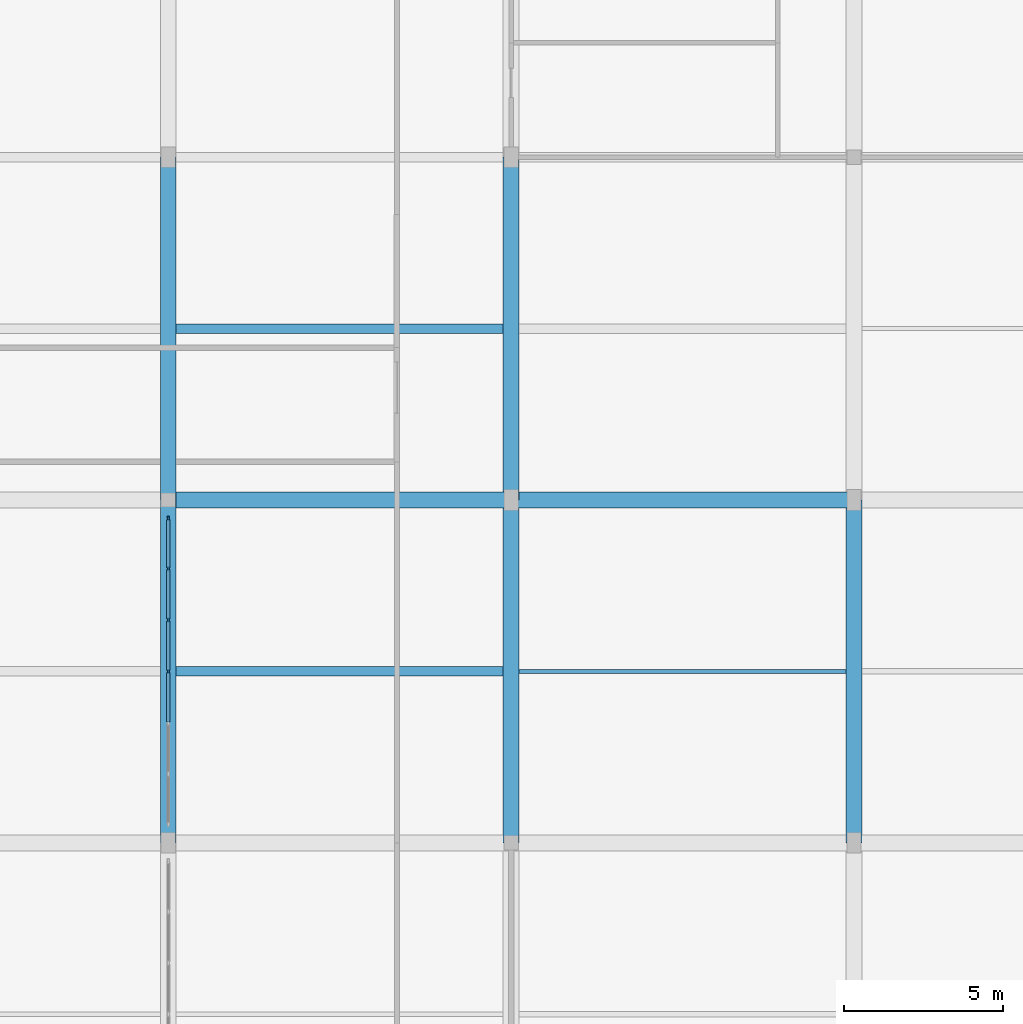
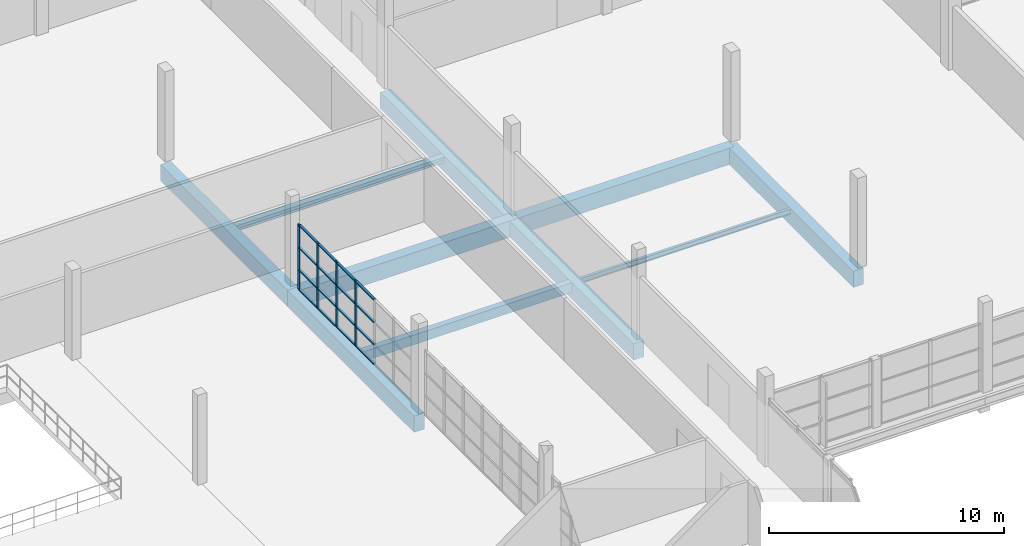
# One storey, part 36 of 142: 20 members, 10 beams, 1 element without a shape of its own.
"""IFC4 building model written with IfcOpenShell, lengths in metres."""

from ifc_helpers import new_model, si_unit, direction, frame, origin, origin_2d, place, context, subcontext, project, spatial, rectangle, i_section, extrude, material, material_profile, profile_set, type_object, element, aggregate, save


model = new_model("IFC4")

# Units and contexts
model_context = context("Model", 3, precision=1e-05, world=origin(), true_north=direction((0.0, 1.0)))
body_context = subcontext(model_context, "Body", "Model", "MODEL_VIEW")
ifc_project = project(units=[si_unit("LENGTHUNIT", "METRE"), si_unit("AREAUNIT", "SQUARE_METRE"), si_unit("VOLUMEUNIT", "CUBIC_METRE"), si_unit("PLANEANGLEUNIT", "RADIAN"), si_unit("MASSUNIT", "GRAM", prefix="KILO")], contexts=[model_context])

# Site, building, storey
site_placement = place(None, origin())
site = spatial("IfcSite", under=ifc_project, at=site_placement, CompositionType="ELEMENT")
building_placement = place(site_placement, origin())
building = spatial("IfcBuilding", under=site, at=building_placement, Name="Zwinboog Wholesale Market", CompositionType="ELEMENT")
storey_placement = place(building_placement, frame((0.0, 0.0, 5.39990234375)))
storey = spatial("IfcBuildingStorey", under=building, at=storey_placement, Name="L01", CompositionType="ELEMENT", Elevation=5.39990234375)

# Beams
ifc_material_1 = material(Name="Precast concrete C45/55", Category="concrete")
ifc_material_profile_1 = material_profile(ifc_material_1, rectangle(XDim=0.5, YDim=0.85009765625, at=origin_2d()), Name="PC 500x850")
ifc_profile_set_1 = profile_set([ifc_material_profile_1], Name="Precast concrete C45/55")
beam_type_1 = type_object("IfcBeamType", Name="BT-03", PredefinedType="BEAM", material=ifc_profile_set_1)
for number, where, z_axis, x_axis, name in (
    (1, (32.39990234375, 86.39990234375, -0.7568359375), (1.0, 0.0, 0.0), (0.0, 1.0, 0.0), "BG-03 (BMG-L01-0324-0864-0512)"),
    (2, (43.199951171875, 86.39990234375, -0.7568359375), (1.0, 0.0, 0.0), (0.0, 1.0, 0.0), "BG-03 (BMG-L01-0432-0864-0513)"),
):
    element("IfcBeam", number, at=place(storey_placement, frame(where, z_axis=z_axis, x_axis=x_axis)), inside=storey, type_object=beam_type_1, Name=name, PredefinedType="BEAM", context=body_context, shape_type="SweptSolid", body=[
        extrude(rectangle(XDim=0.5, YDim=0.85009765625, at=origin_2d()), origin(), (0.0, 0.0, 1.0), 10.800048828125),
    ])
beam_1_placement = place(storey_placement, frame((32.39990234375, 75.60009765625, -0.72998046875), z_axis=(0.0, 1.0, 0.0), x_axis=(-1.0, 0.0, 0.0)))
element("IfcBeam", 3, at=beam_1_placement, inside=storey, type_object=beam_type_1, Name="BG-03 (BMG-L01-0324-0756-0642)", PredefinedType="BEAM", context=body_context, shape_type="SweptSolid", body=[
    extrude(rectangle(XDim=0.5, YDim=0.85009765625, at=origin_2d()), origin(), (0.0, 0.0, 1.0), 10.7998046875),
])
beam_2_placement = place(storey_placement, frame((32.39990234375, 86.39990234375, -0.72998046875), z_axis=(0.0, 1.0, 0.0), x_axis=(-1.0, 0.0, 0.0)))
element("IfcBeam", 4, at=beam_2_placement, inside=storey, type_object=beam_type_1, Name="BG-03 (BMG-L01-0324-0864-0643)", PredefinedType="BEAM", context=body_context, shape_type="SweptSolid", body=[
    extrude(rectangle(XDim=0.5, YDim=0.85009765625, at=origin_2d()), origin(), (0.0, 0.0, 1.0), 10.800048828125),
])
beam_3_placement = place(storey_placement, frame((43.199951171875, 75.60009765625, -0.7568359375), z_axis=(0.0, 1.0, 0.0), x_axis=(-1.0, 0.0, 0.0)))
element("IfcBeam", 5, at=beam_3_placement, inside=storey, type_object=beam_type_1, Name="BG-03 (BMG-L01-0432-0756-0654)", PredefinedType="BEAM", context=body_context, shape_type="SweptSolid", body=[
    extrude(rectangle(XDim=0.5, YDim=0.85009765625, at=origin_2d()), origin(), (0.0, 0.0, 1.0), 10.7998046875),
])
beam_4_placement = place(storey_placement, frame((43.199951171875, 86.39990234375, -0.7568359375), z_axis=(0.0, 1.0, 0.0), x_axis=(-1.0, 0.0, 0.0)))
element("IfcBeam", 6, at=beam_4_placement, inside=storey, type_object=beam_type_1, Name="BG-03 (BMG-L01-0432-0864-0655)", PredefinedType="BEAM", context=body_context, shape_type="SweptSolid", body=[
    extrude(rectangle(XDim=0.5, YDim=0.85009765625, at=origin_2d()), origin(), (0.0, 0.0, 1.0), 10.800048828125),
])
beam_5_placement = place(storey_placement, frame((54.0, 75.60009765625, -0.7568359375), z_axis=(0.0, 1.0, 0.0), x_axis=(-1.0, 0.0, 0.0)))
element("IfcBeam", 7, at=beam_5_placement, inside=storey, type_object=beam_type_1, Name="BG-03 (BMG-L01-0540-0756-0660)", PredefinedType="BEAM", context=body_context, shape_type="SweptSolid", body=[
    extrude(rectangle(XDim=0.5, YDim=0.85009765625, at=origin_2d()), origin(), (0.0, 0.0, 1.0), 10.7998046875),
])
ifc_material_profile_2 = material_profile(ifc_material_1, rectangle(XDim=0.300048828125, YDim=0.5, at=origin_2d()), Name="PC 300x500")
ifc_profile_set_2 = profile_set([ifc_material_profile_2], Name="Precast concrete C45/55")
beam_type_2 = type_object("IfcBeamType", Name="BT-10", PredefinedType="JOIST", material=ifc_profile_set_2)
beam_6_placement = place(storey_placement, frame((32.64990234375, 81.0, -0.581787109375), z_axis=(1.0, 0.0, 0.0), x_axis=(0.0, 1.0, 0.0)))
element("IfcBeam", 8, at=beam_6_placement, inside=storey, type_object=beam_type_2, Name="BJ-01 (BMG-L01-0326-0810-0806)", PredefinedType="JOIST", context=body_context, shape_type="SweptSolid", body=[
    extrude(rectangle(XDim=0.300048828125, YDim=0.5, at=origin_2d()), origin(), (0.0, 0.0, 1.0), 10.300048828125),
])
ifc_material_2 = material(Name="Steel S355", Category="steel")
ifc_material_profile_3 = material_profile(ifc_material_2, i_section(OverallWidth=0.300048828125, OverallDepth=0.2900390625, WebThickness=0.008544921875, FlangeThickness=0.013916015625, FilletRadius=0.027099609375, at=origin_2d()), Name="HEA 300")
ifc_profile_set_3 = profile_set([ifc_material_profile_3], Name="Steel S355")
beam_type_3 = type_object("IfcBeamType", Name="BT-18", PredefinedType="JOIST", material=ifc_profile_set_3)
beam_7_placement = place(storey_placement, frame((32.64990234375, 91.800048828125, -0.476806640625), z_axis=(1.0, 0.0, 0.0), x_axis=(0.0, 1.0, 0.0)))
element("IfcBeam", 9, at=beam_7_placement, inside=storey, type_object=beam_type_3, Name="SJ-01 (BMG-L01-0326-0918-0807)", PredefinedType="JOIST", context=body_context, shape_type="SweptSolid", body=[
    extrude(i_section(OverallWidth=0.300048828125, OverallDepth=0.2900390625, WebThickness=0.008544921875, FlangeThickness=0.013916015625, FilletRadius=0.027099609375, at=origin_2d()), origin(), (0.0, 0.0, 1.0), 10.300048828125),
])
ifc_material_profile_4 = material_profile(ifc_material_2, i_section(OverallWidth=0.135009765625, OverallDepth=0.27001953125, WebThickness=0.006591796875, FlangeThickness=0.01025390625, FilletRadius=0.014892578125, at=origin_2d()), Name="IPE 270")
ifc_profile_set_4 = profile_set([ifc_material_profile_4], Name="Steel S355")
beam_type_4 = type_object("IfcBeamType", Name="BT-21", PredefinedType="JOIST", material=ifc_profile_set_4)
beam_8_placement = place(storey_placement, frame((43.449951171875, 81.0, -0.466796875), z_axis=(1.0, 0.0, 0.0), x_axis=(0.0, 1.0, 0.0)))
element("IfcBeam", 10, at=beam_8_placement, inside=storey, type_object=beam_type_4, Name="SJ-04 (BMG-L01-0434-0810-0810)", PredefinedType="JOIST", context=body_context, shape_type="SweptSolid", body=[
    extrude(i_section(OverallWidth=0.135009765625, OverallDepth=0.27001953125, WebThickness=0.006591796875, FlangeThickness=0.01025390625, FilletRadius=0.014892578125, at=origin_2d()), origin(), (0.0, 0.0, 1.0), 10.300048828125),
])

# Curtain wall, members
ifc_material_3 = material(Name="Aluminium thermally broken curtain wall", Category="aluminium")
curtain_wall_type = type_object("IfcCurtainWallType", Name="CWT-INT-STALL", PredefinedType="USERDEFINED", material=ifc_material_3)
curtain_wall_placement = place(storey_placement, origin())
curtain_wall = element("IfcCurtainWall", 11, at=curtain_wall_placement, inside=storey, type_object=curtain_wall_type, Name="CW-07 (CW-STL-270)", ObjectType="STOREFRONT_GLAZING", PredefinedType="USERDEFINED")
ifc_material_4 = material(Name="Aluminium EN AW-6060", Category="aluminium")
ifc_material_profile_5 = material_profile(ifc_material_4, rectangle(XDim=0.06005859375, YDim=0.14990234375, at=origin_2d()), Name="AL 60x150")
ifc_profile_set_5 = profile_set([ifc_material_profile_5], Name="Aluminium EN AW-6060")
member_type_1 = type_object("IfcMemberType", Name="CWM-INT-60x120", PredefinedType="MULLION", material=ifc_profile_set_5)
member_1_placement = place(storey_placement, frame((32.39990234375, 81.0, 0.0), z_axis=(0.0, 0.0, 1.0), x_axis=(-1.0, 0.0, 0.0)))
member_1 = element("IfcMember", 12, at=member_1_placement, type_object=member_type_1, Name="CW-07 mullion 4", PredefinedType="MULLION", context=body_context, shape_type="SweptSolid", body=[
    extrude(rectangle(XDim=0.06005859375, YDim=0.14990234375, at=origin_2d()), origin(), (0.0, 0.0, 1.0), 3.400146484375),
])
member_2_placement = place(storey_placement, frame((32.39990234375, 82.61669921875, 0.0), z_axis=(0.0, 0.0, 1.0), x_axis=(-1.0, 0.0, 0.0)))
member_2 = element("IfcMember", 13, at=member_2_placement, type_object=member_type_1, Name="CW-07 mullion 5", PredefinedType="MULLION", context=body_context, shape_type="SweptSolid", body=[
    extrude(rectangle(XDim=0.06005859375, YDim=0.14990234375, at=origin_2d()), origin(), (0.0, 0.0, 1.0), 3.400146484375),
])
member_3_placement = place(storey_placement, frame((32.39990234375, 84.2333984375, 0.0), z_axis=(0.0, 0.0, 1.0), x_axis=(-1.0, 0.0, 0.0)))
member_3 = element("IfcMember", 14, at=member_3_placement, type_object=member_type_1, Name="CW-07 mullion 6", PredefinedType="MULLION", context=body_context, shape_type="SweptSolid", body=[
    extrude(rectangle(XDim=0.06005859375, YDim=0.14990234375, at=origin_2d()), origin(), (0.0, 0.0, 1.0), 3.400146484375),
])
member_4_placement = place(storey_placement, frame((32.39990234375, 85.820068359375, 0.0), z_axis=(0.0, 0.0, 1.0), x_axis=(-1.0, 0.0, 0.0)))
member_4 = element("IfcMember", 15, at=member_4_placement, type_object=member_type_1, Name="CW-07 mullion 7", PredefinedType="MULLION", context=body_context, shape_type="SweptSolid", body=[
    extrude(rectangle(XDim=0.06005859375, YDim=0.14990234375, at=origin_2d()), origin(), (0.0, 0.0, 1.0), 3.400146484375),
])
ifc_material_profile_6 = material_profile(ifc_material_4, rectangle(XDim=0.110107421875, YDim=0.06005859375, at=origin_2d()), Name="AL 60x110")
ifc_profile_set_6 = profile_set([ifc_material_profile_6], Name="Aluminium EN AW-6060")
member_type_2 = type_object("IfcMemberType", Name="CWT-INT-60x100", PredefinedType="USERDEFINED", material=ifc_profile_set_6)
member_5_placement = place(storey_placement, frame((32.39990234375, 79.413330078125, 0.030029296875), z_axis=(0.0, 1.0, 0.0), x_axis=(-1.0, 0.0, 0.0)))
member_5 = element("IfcMember", 16, at=member_5_placement, type_object=member_type_2, Name="CW-07 transom 3.1", ObjectType="TRANSOM", PredefinedType="USERDEFINED", context=body_context, shape_type="SweptSolid", body=[
    extrude(rectangle(XDim=0.110107421875, YDim=0.06005859375, at=origin_2d()), origin(), (0.0, 0.0, 1.0), 1.556640625),
])
member_6_placement = place(storey_placement, frame((32.39990234375, 79.413330078125, 1.050048828125), z_axis=(0.0, 1.0, 0.0), x_axis=(-1.0, 0.0, 0.0)))
member_6 = element("IfcMember", 17, at=member_6_placement, type_object=member_type_2, Name="CW-07 transom 3.2", ObjectType="TRANSOM", PredefinedType="USERDEFINED", context=body_context, shape_type="SweptSolid", body=[
    extrude(rectangle(XDim=0.110107421875, YDim=0.06005859375, at=origin_2d()), origin(), (0.0, 0.0, 1.0), 1.556640625),
])
member_7_placement = place(storey_placement, frame((32.39990234375, 79.413330078125, 2.2001953125), z_axis=(0.0, 1.0, 0.0), x_axis=(-1.0, 0.0, 0.0)))
member_7 = element("IfcMember", 18, at=member_7_placement, type_object=member_type_2, Name="CW-07 transom 3.3", ObjectType="TRANSOM", PredefinedType="USERDEFINED", context=body_context, shape_type="SweptSolid", body=[
    extrude(rectangle(XDim=0.110107421875, YDim=0.06005859375, at=origin_2d()), origin(), (0.0, 0.0, 1.0), 1.556640625),
])
member_8_placement = place(storey_placement, frame((32.39990234375, 79.413330078125, 3.3701171875), z_axis=(0.0, 1.0, 0.0), x_axis=(-1.0, 0.0, 0.0)))
member_8 = element("IfcMember", 19, at=member_8_placement, type_object=member_type_2, Name="CW-07 transom 3.4", ObjectType="TRANSOM", PredefinedType="USERDEFINED", context=body_context, shape_type="SweptSolid", body=[
    extrude(rectangle(XDim=0.110107421875, YDim=0.06005859375, at=origin_2d()), origin(), (0.0, 0.0, 1.0), 1.556640625),
])
member_9_placement = place(storey_placement, frame((32.39990234375, 81.030029296875, 0.030029296875), z_axis=(0.0, 1.0, 0.0), x_axis=(-1.0, 0.0, 0.0)))
member_9 = element("IfcMember", 20, at=member_9_placement, type_object=member_type_2, Name="CW-07 transom 4.1", ObjectType="TRANSOM", PredefinedType="USERDEFINED", context=body_context, shape_type="SweptSolid", body=[
    extrude(rectangle(XDim=0.110107421875, YDim=0.06005859375, at=origin_2d()), origin(), (0.0, 0.0, 1.0), 1.556640625),
])
member_10_placement = place(storey_placement, frame((32.39990234375, 81.030029296875, 1.050048828125), z_axis=(0.0, 1.0, 0.0), x_axis=(-1.0, 0.0, 0.0)))
member_10 = element("IfcMember", 21, at=member_10_placement, type_object=member_type_2, Name="CW-07 transom 4.2", ObjectType="TRANSOM", PredefinedType="USERDEFINED", context=body_context, shape_type="SweptSolid", body=[
    extrude(rectangle(XDim=0.110107421875, YDim=0.06005859375, at=origin_2d()), origin(), (0.0, 0.0, 1.0), 1.556640625),
])
member_11_placement = place(storey_placement, frame((32.39990234375, 81.030029296875, 2.2001953125), z_axis=(0.0, 1.0, 0.0), x_axis=(-1.0, 0.0, 0.0)))
member_11 = element("IfcMember", 22, at=member_11_placement, type_object=member_type_2, Name="CW-07 transom 4.3", ObjectType="TRANSOM", PredefinedType="USERDEFINED", context=body_context, shape_type="SweptSolid", body=[
    extrude(rectangle(XDim=0.110107421875, YDim=0.06005859375, at=origin_2d()), origin(), (0.0, 0.0, 1.0), 1.556640625),
])
member_12_placement = place(storey_placement, frame((32.39990234375, 81.030029296875, 3.3701171875), z_axis=(0.0, 1.0, 0.0), x_axis=(-1.0, 0.0, 0.0)))
member_12 = element("IfcMember", 23, at=member_12_placement, type_object=member_type_2, Name="CW-07 transom 4.4", ObjectType="TRANSOM", PredefinedType="USERDEFINED", context=body_context, shape_type="SweptSolid", body=[
    extrude(rectangle(XDim=0.110107421875, YDim=0.06005859375, at=origin_2d()), origin(), (0.0, 0.0, 1.0), 1.556640625),
])
member_13_placement = place(storey_placement, frame((32.39990234375, 82.646728515625, 0.030029296875), z_axis=(0.0, 1.0, 0.0), x_axis=(-1.0, 0.0, 0.0)))
member_13 = element("IfcMember", 24, at=member_13_placement, type_object=member_type_2, Name="CW-07 transom 5.1", ObjectType="TRANSOM", PredefinedType="USERDEFINED", context=body_context, shape_type="SweptSolid", body=[
    extrude(rectangle(XDim=0.110107421875, YDim=0.06005859375, at=origin_2d()), origin(), (0.0, 0.0, 1.0), 1.556640625),
])
member_14_placement = place(storey_placement, frame((32.39990234375, 82.646728515625, 1.050048828125), z_axis=(0.0, 1.0, 0.0), x_axis=(-1.0, 0.0, 0.0)))
member_14 = element("IfcMember", 25, at=member_14_placement, type_object=member_type_2, Name="CW-07 transom 5.2", ObjectType="TRANSOM", PredefinedType="USERDEFINED", context=body_context, shape_type="SweptSolid", body=[
    extrude(rectangle(XDim=0.110107421875, YDim=0.06005859375, at=origin_2d()), origin(), (0.0, 0.0, 1.0), 1.556640625),
])
member_15_placement = place(storey_placement, frame((32.39990234375, 82.646728515625, 2.2001953125), z_axis=(0.0, 1.0, 0.0), x_axis=(-1.0, 0.0, 0.0)))
member_15 = element("IfcMember", 26, at=member_15_placement, type_object=member_type_2, Name="CW-07 transom 5.3", ObjectType="TRANSOM", PredefinedType="USERDEFINED", context=body_context, shape_type="SweptSolid", body=[
    extrude(rectangle(XDim=0.110107421875, YDim=0.06005859375, at=origin_2d()), origin(), (0.0, 0.0, 1.0), 1.556640625),
])
member_16_placement = place(storey_placement, frame((32.39990234375, 82.646728515625, 3.3701171875), z_axis=(0.0, 1.0, 0.0), x_axis=(-1.0, 0.0, 0.0)))
member_16 = element("IfcMember", 27, at=member_16_placement, type_object=member_type_2, Name="CW-07 transom 5.4", ObjectType="TRANSOM", PredefinedType="USERDEFINED", context=body_context, shape_type="SweptSolid", body=[
    extrude(rectangle(XDim=0.110107421875, YDim=0.06005859375, at=origin_2d()), origin(), (0.0, 0.0, 1.0), 1.556640625),
])
member_17_placement = place(storey_placement, frame((32.39990234375, 84.263427734375, 0.030029296875), z_axis=(0.0, 1.0, 0.0), x_axis=(-1.0, 0.0, 0.0)))
member_17 = element("IfcMember", 28, at=member_17_placement, type_object=member_type_2, Name="CW-07 transom 6.1", ObjectType="TRANSOM", PredefinedType="USERDEFINED", context=body_context, shape_type="SweptSolid", body=[
    extrude(rectangle(XDim=0.110107421875, YDim=0.06005859375, at=origin_2d()), origin(), (0.0, 0.0, 1.0), 1.526611328125),
])
member_18_placement = place(storey_placement, frame((32.39990234375, 84.263427734375, 1.050048828125), z_axis=(0.0, 1.0, 0.0), x_axis=(-1.0, 0.0, 0.0)))
member_18 = element("IfcMember", 29, at=member_18_placement, type_object=member_type_2, Name="CW-07 transom 6.2", ObjectType="TRANSOM", PredefinedType="USERDEFINED", context=body_context, shape_type="SweptSolid", body=[
    extrude(rectangle(XDim=0.110107421875, YDim=0.06005859375, at=origin_2d()), origin(), (0.0, 0.0, 1.0), 1.526611328125),
])
member_19_placement = place(storey_placement, frame((32.39990234375, 84.263427734375, 2.2001953125), z_axis=(0.0, 1.0, 0.0), x_axis=(-1.0, 0.0, 0.0)))
member_19 = element("IfcMember", 30, at=member_19_placement, type_object=member_type_2, Name="CW-07 transom 6.3", ObjectType="TRANSOM", PredefinedType="USERDEFINED", context=body_context, shape_type="SweptSolid", body=[
    extrude(rectangle(XDim=0.110107421875, YDim=0.06005859375, at=origin_2d()), origin(), (0.0, 0.0, 1.0), 1.526611328125),
])
member_20_placement = place(storey_placement, frame((32.39990234375, 84.263427734375, 3.3701171875), z_axis=(0.0, 1.0, 0.0), x_axis=(-1.0, 0.0, 0.0)))
member_20 = element("IfcMember", 31, at=member_20_placement, type_object=member_type_2, Name="CW-07 transom 6.4", ObjectType="TRANSOM", PredefinedType="USERDEFINED", context=body_context, shape_type="SweptSolid", body=[
    extrude(rectangle(XDim=0.110107421875, YDim=0.06005859375, at=origin_2d()), origin(), (0.0, 0.0, 1.0), 1.526611328125),
])
aggregate(curtain_wall, [member_1, member_2, member_3, member_4, member_5, member_6, member_7, member_8, member_9, member_10, member_11, member_12, member_13, member_14, member_15, member_16, member_17, member_18, member_19, member_20])

save(model, "model.ifc")
